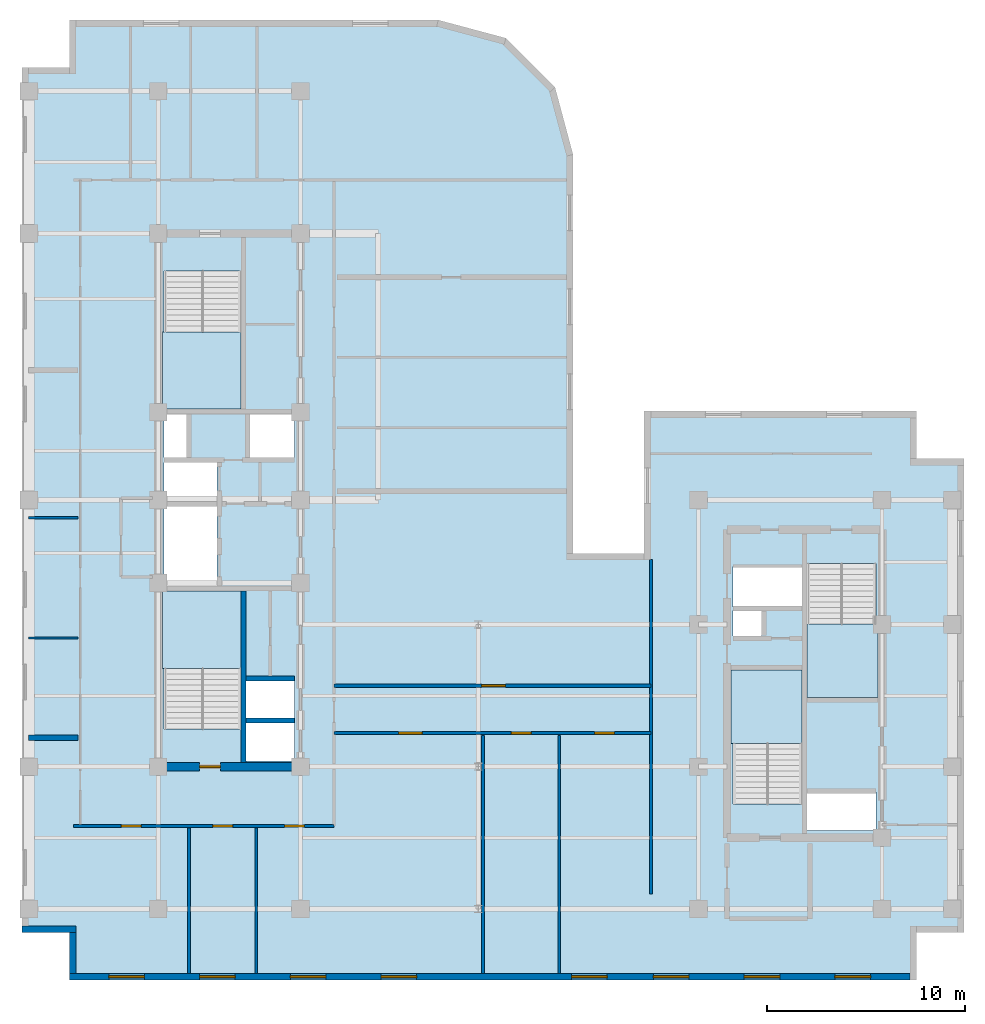
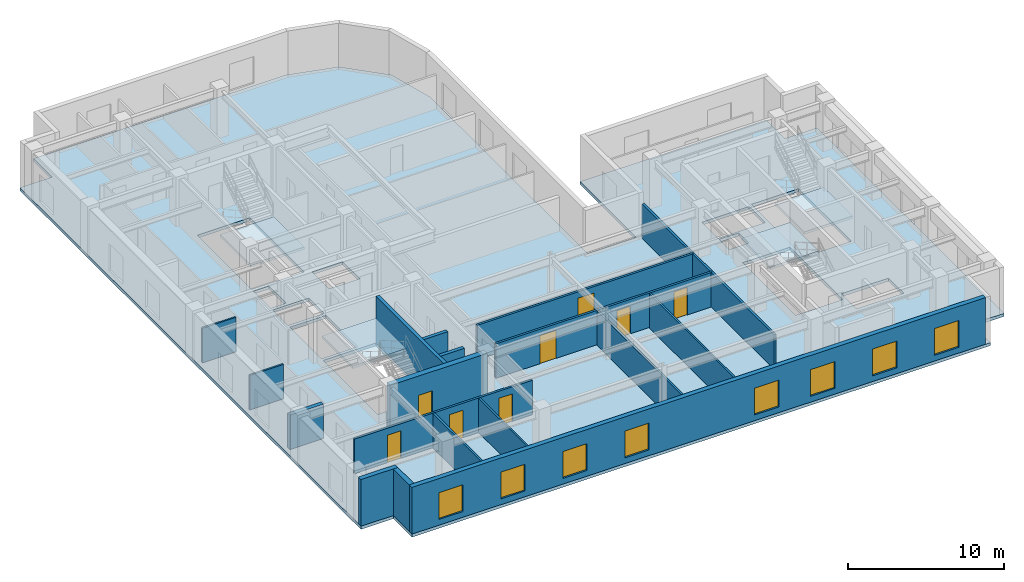
# One storey, part 3 of 10: 18 walls, 8 doors, 8 windows, 5 slabs, 16 openings, 4 elements without a shape of their own.
"""IFC4 building model written with IfcOpenShell, lengths in metres."""

from ifc_helpers import new_model, entity, si_unit, converted_unit, direction, frame, origin_with_axes, origin_2d_with_axis, place, context, subcontext, project, spatial, polyline, rectangle, outline, extrude, material, layer, layer_set, type_object, element, fill, aggregate, save


model = new_model("IFC4")

# Units and contexts
model_context = context("Model", 3, precision=1e-05, world=origin_with_axes(), true_north=direction((0.0, 1.0)))
body_context = subcontext(model_context, "Body", "Model", "MODEL_VIEW")
ifc_project = project(units=[si_unit("LENGTHUNIT", "METRE"), si_unit("AREAUNIT", "SQUARE_METRE"), si_unit("VOLUMEUNIT", "CUBIC_METRE"), converted_unit("PLANEANGLEUNIT", "DEGREE", entity("IfcPlaneAngleMeasure", 0.017453292519943295), si_unit("PLANEANGLEUNIT", "RADIAN"), dimensions=[0, 0, 0, 0, 0, 0, 0]), si_unit("MASSUNIT", "GRAM", prefix="KILO"), si_unit("THERMODYNAMICTEMPERATUREUNIT", "KELVIN")], contexts=[model_context])

# Site, building, storey
site_placement = place(None, origin_with_axes())
site = spatial("IfcSite", under=ifc_project, at=site_placement, CompositionType="ELEMENT")
building_placement = place(site_placement, origin_with_axes())
building = spatial("IfcBuilding", under=site, at=building_placement, Name="Varnlund Millrace Tower", CompositionType="ELEMENT")
storey_placement = place(building_placement, frame((0.0, 0.0, 236.4), z_axis=(0.0, 0.0, 1.0), x_axis=(1.0, 0.0, 0.0)))
storey = spatial("IfcBuildingStorey", under=building, at=storey_placement, Name="L58", CompositionType="ELEMENT", Elevation=236.4)

# Slab
ifc_material_1 = material(Name="Concrete C60/75", Category="concrete")
ifc_layer_1 = layer(ifc_material_1, 0.24, Name="Concrete C60/75")
ifc_layer_set_1 = layer_set([ifc_layer_1], Name="Concrete C60/75")
slab_type_1 = type_object("IfcSlabType", Name="Type-Deck-Plate-Typical-240", PredefinedType="FLOOR", material=ifc_layer_set_1)
slab_1_placement = place(storey_placement, frame((0.0, 0.0, -0.24), z_axis=(0.0, 0.0, 1.0), x_axis=(1.0, 0.0, 0.0)))
element("IfcSlab", 1, at=slab_1_placement, inside=storey, type_object=slab_type_1, Name="Type-Deck-Plate-Typical-240", PredefinedType="FLOOR", context=body_context, shape_type="SweptSolid", body=[
    extrude(outline(polyline([(32.4, 21.6), (32.4, 41.8), (31.489, 45.2), (29.0, 47.689), (25.6, 48.6), (6.9, 48.6), (6.9, 46.2), (4.5, 46.2), (4.5, 2.4), (6.9, 2.4), (6.9, 0.0), (49.8, 0.0), (49.8, 2.4), (52.2, 2.4), (52.2, 26.4), (49.8, 26.4), (49.8, 28.8), (36.0, 28.8), (36.0, 21.6), (32.4, 21.6)]), holes=[polyline([(18.3, 13.1), (18.3, 11.1), (15.84, 11.1), (15.84, 13.1), (18.3, 13.1)]), polyline([(15.6, 12.715), (11.7, 12.715), (11.7, 19.7), (15.6, 19.7), (15.6, 12.715)]), polyline([(11.7, 19.94), (11.7, 23.98), (14.38, 23.98), (14.38, 19.94), (11.7, 19.94)]), polyline([(14.38, 24.24), (11.7, 24.24), (11.7, 26.2), (14.38, 26.2), (14.38, 24.24)]), polyline([(12.84, 26.46), (11.7, 26.46), (11.7, 28.65), (12.84, 28.65), (12.84, 26.46)]), polyline([(15.6, 28.9), (11.7, 28.9), (11.7, 35.885), (15.6, 35.885), (15.6, 28.9)]), polyline([(47.75, 9.52), (47.75, 7.58), (44.25, 7.58), (44.25, 9.52), (47.75, 9.52)]), polyline([(44.0, 8.915), (40.5, 8.915), (40.5, 15.7), (44.0, 15.7), (44.0, 8.915)]), polyline([(18.3, 13.16), (15.84, 13.16), (15.84, 15.24), (18.3, 15.24), (18.3, 13.16)]), polyline([(47.75, 14.3), (44.25, 14.3), (44.25, 21.085), (47.75, 21.085), (47.75, 14.3)]), polyline([(41.95, 17.42), (40.5, 17.42), (40.5, 18.72), (41.95, 18.72), (41.95, 17.42)]), polyline([(44.0, 18.88), (40.5, 18.88), (40.5, 20.94), (44.0, 20.94), (44.0, 18.88)]), polyline([(18.3, 26.46), (16.04, 26.46), (16.04, 28.65), (18.3, 28.65), (18.3, 26.46)])]), origin_with_axes(), (0.0, 0.0, 1.0), 0.24),
])

# Stair, slab
ifc_material_2 = material(Name="Concrete C50/60", Category="concrete")
stair_type_1 = type_object("IfcStairType", Name="Type-Stair-Dogleg-185-390", PredefinedType="HALF_TURN_STAIR", material=ifc_material_2)
stair_1_placement = place(storey_placement, origin_with_axes())
stair_1 = element("IfcStair", 2, at=stair_1_placement, inside=storey, type_object=stair_type_1, Name="Type-Stair-Dogleg-185-390", PredefinedType="HALF_TURN_STAIR")
ifc_layer_2 = layer(ifc_material_2, 0.2, Name="Concrete C50/60")
ifc_layer_set_2 = layer_set([ifc_layer_2], Name="Concrete C50/60")
slab_type_2 = type_object("IfcSlabType", Name="Type-StairLanding-200", PredefinedType="LANDING", material=ifc_layer_set_2)
slab_2_placement = place(storey_placement, frame((0.0, 0.0, 1.75), z_axis=(0.0, 0.0, 1.0), x_axis=(1.0, 0.0, 0.0)))
slab_2 = element("IfcSlab", 3, at=slab_2_placement, type_object=slab_type_2, Name="ST-A1 landing 1", PredefinedType="LANDING", context=body_context, shape_type="SweptSolid", body=[
    extrude(outline(polyline([(15.6, 15.78), (15.6, 19.7), (11.61, 19.7), (11.61, 15.78), (15.6, 15.78)])), origin_with_axes(), (0.0, 0.0, 1.0), 0.2),
])
aggregate(stair_1, [slab_2])

stair_2_placement = place(storey_placement, origin_with_axes())
stair_2 = element("IfcStair", 4, at=stair_2_placement, inside=storey, type_object=stair_type_1, Name="Type-Stair-Dogleg-185-390", PredefinedType="HALF_TURN_STAIR")
slab_3_placement = place(storey_placement, frame((0.0, 0.0, 1.75), z_axis=(0.0, 0.0, 1.0), x_axis=(1.0, 0.0, 0.0)))
slab_3 = element("IfcSlab", 5, at=slab_3_placement, type_object=slab_type_2, Name="ST-A2 landing 1", PredefinedType="LANDING", context=body_context, shape_type="SweptSolid", body=[
    extrude(outline(polyline([(11.61, 32.82), (11.61, 28.9), (15.6, 28.9), (15.6, 32.82), (11.61, 32.82)])), origin_with_axes(), (0.0, 0.0, 1.0), 0.2),
])
aggregate(stair_2, [slab_3])

stair_type_2 = type_object("IfcStairType", Name="Type-Stair-Dogleg-165-390", PredefinedType="HALF_TURN_STAIR", material=ifc_material_2)
stair_3_placement = place(storey_placement, origin_with_axes())
stair_3 = element("IfcStair", 6, at=stair_3_placement, inside=storey, type_object=stair_type_2, Name="Type-Stair-Dogleg-165-390", PredefinedType="HALF_TURN_STAIR")
slab_4_placement = place(storey_placement, frame((0.0, 0.0, 1.75), z_axis=(0.0, 0.0, 1.0), x_axis=(1.0, 0.0, 0.0)))
slab_4 = element("IfcSlab", 7, at=slab_4_placement, type_object=slab_type_2, Name="ST-B1 landing 1", PredefinedType="LANDING", context=body_context, shape_type="SweptSolid", body=[
    extrude(outline(polyline([(44.0, 11.98), (44.0, 15.7), (40.41, 15.7), (40.41, 11.98), (44.0, 11.98)])), origin_with_axes(), (0.0, 0.0, 1.0), 0.2),
])
aggregate(stair_3, [slab_4])

stair_4_placement = place(storey_placement, origin_with_axes())
stair_4 = element("IfcStair", 8, at=stair_4_placement, inside=storey, type_object=stair_type_2, Name="Type-Stair-Dogleg-165-390", PredefinedType="HALF_TURN_STAIR")
slab_5_placement = place(storey_placement, frame((0.0, 0.0, 1.75), z_axis=(0.0, 0.0, 1.0), x_axis=(1.0, 0.0, 0.0)))
slab_5 = element("IfcSlab", 9, at=slab_5_placement, type_object=slab_type_2, Name="ST-B2 landing 1", PredefinedType="LANDING", context=body_context, shape_type="SweptSolid", body=[
    extrude(outline(polyline([(44.25, 18.02), (44.25, 14.3), (47.84, 14.3), (47.84, 18.02), (44.25, 18.02)])), origin_with_axes(), (0.0, 0.0, 1.0), 0.2),
])
aggregate(stair_4, [slab_5])

# Wall, opening, door
ifc_layer_3 = layer(ifc_material_1, 0.42, Name="Concrete C60/75")
ifc_layer_set_3 = layer_set([ifc_layer_3], Name="Concrete C60/75")
wall_type_1 = type_object("IfcWallType", Name="Type-CoreWall-Shear-420-C60", PredefinedType="SHEAR", material=ifc_layer_set_3)
wall_1_placement = place(storey_placement, frame((11.4, 10.8, 0.0), z_axis=(0.0, 0.0, 1.0), x_axis=(1.0, 0.0, 0.0)))
wall_1 = element("IfcWall", 10, at=wall_1_placement, inside=storey, type_object=wall_type_1, Name="Type-CoreWall-Shear-420-C60", PredefinedType="SHEAR", context=body_context, shape_type="SweptSolid", body=[
    extrude(outline(polyline([(0.0, -0.21), (7.2, -0.21), (7.2, 0.21), (0.0, 0.21), (0.0, -0.21)])), origin_with_axes(), (0.0, 0.0, 1.0), 3.66),
])
opening_1_placement = place(wall_1_placement, frame((2.625, 0.0, 0.0), z_axis=(0.0, 0.0, 1.0), x_axis=(1.0, 0.0, 0.0)))
opening_1 = element("IfcOpeningElement", 11, at=opening_1_placement, cuts=wall_1, Name="Opening L58:DR-STA1", PredefinedType="OPENING", context=body_context, shape_type="SweptSolid", body=[
    extrude(rectangle(XDim=1.05, YDim=0.44, at=origin_2d_with_axis()), origin_with_axes(), (0.0, 0.0, 1.0), 2.15),
])
ifc_material_3 = material(Name="Fire-rated hollow steel door", Category="steel")
door_type_1 = type_object("IfcDoorType", Name="Type-FireDoor-Stair-1050X2150", OperationType="NOTDEFINED", PredefinedType="DOOR", material=ifc_material_3)
door_1_placement = place(wall_1_placement, frame((2.625, 0.0, 0.0), z_axis=(0.0, 0.0, 1.0), x_axis=(1.0, 0.0, 0.0)))
door_1 = element("IfcDoor", 12, at=door_1_placement, inside=storey, type_object=door_type_1, Name="Type-FireDoor-Stair-1050X2150", OperationType="SINGLE_SWING_LEFT", OverallHeight=2.15, OverallWidth=1.05, PredefinedType="DOOR", context=body_context, shape_type="SweptSolid", body=[
    extrude(rectangle(XDim=1.05, YDim=0.09, at=origin_2d_with_axis()), origin_with_axes(), (0.0, 0.0, 1.0), 2.15),
])
fill(opening_1, door_1)

# Wall, openings, windows
ifc_material_4 = material(Name="Precast concrete C50/60", Category="concrete")
ifc_layer_4 = layer(ifc_material_4, 0.34, Name="Precast concrete C50/60")
ifc_layer_set_4 = layer_set([ifc_layer_4], Name="Precast concrete C50/60")
wall_type_2 = type_object("IfcWallType", Name="Type-ExtWall-Precast-Upper-340", PredefinedType="SOLIDWALL", material=ifc_layer_set_4)
wall_2_placement = place(storey_placement, frame((49.46, 0.17, 0.0), z_axis=(0.0, 0.0, 1.0), x_axis=(-1.0, 0.0, 0.0)))
wall_2 = element("IfcWall", 13, at=wall_2_placement, inside=storey, type_object=wall_type_2, Name="Type-ExtWall-Precast-Upper-340", PredefinedType="SOLIDWALL", context=body_context, shape_type="SweptSolid", body=[
    extrude(outline(polyline([(0.0, -0.17), (42.56, -0.17), (42.56, 0.17), (0.0, 0.17), (0.0, -0.17)])), origin_with_axes(), (0.0, 0.0, 1.0), 3.66),
])
opening_2_placement = place(wall_2_placement, frame((2.898, 0.0, 0.45), z_axis=(0.0, 0.0, 1.0), x_axis=(1.0, 0.0, 0.0)))
opening_2 = element("IfcOpeningElement", 14, at=opening_2_placement, cuts=wall_2, Name="Opening L58:WN-07", PredefinedType="OPENING", context=body_context, shape_type="SweptSolid", body=[
    extrude(rectangle(XDim=1.8, YDim=0.36, at=origin_2d_with_axis()), origin_with_axes(), (0.0, 0.0, 1.0), 2.1),
])
opening_3_placement = place(wall_2_placement, frame((7.493, 0.0, 0.45), z_axis=(0.0, 0.0, 1.0), x_axis=(1.0, 0.0, 0.0)))
opening_3 = element("IfcOpeningElement", 15, at=opening_3_placement, cuts=wall_2, Name="Opening L58:WN-08", PredefinedType="OPENING", context=body_context, shape_type="SweptSolid", body=[
    extrude(rectangle(XDim=1.8, YDim=0.36, at=origin_2d_with_axis()), origin_with_axes(), (0.0, 0.0, 1.0), 2.1),
])
opening_4_placement = place(wall_2_placement, frame((12.089, 0.0, 0.45), z_axis=(0.0, 0.0, 1.0), x_axis=(1.0, 0.0, 0.0)))
opening_4 = element("IfcOpeningElement", 16, at=opening_4_placement, cuts=wall_2, Name="Opening L58:WN-09", PredefinedType="OPENING", context=body_context, shape_type="SweptSolid", body=[
    extrude(rectangle(XDim=1.8, YDim=0.36, at=origin_2d_with_axis()), origin_with_axes(), (0.0, 0.0, 1.0), 2.1),
])
opening_5_placement = place(wall_2_placement, frame((16.234, 0.0, 0.45), z_axis=(0.0, 0.0, 1.0), x_axis=(1.0, 0.0, 0.0)))
opening_5 = element("IfcOpeningElement", 17, at=opening_5_placement, cuts=wall_2, Name="Opening L58:WN-10", PredefinedType="OPENING", context=body_context, shape_type="SweptSolid", body=[
    extrude(rectangle(XDim=1.8, YDim=0.36, at=origin_2d_with_axis()), origin_with_axes(), (0.0, 0.0, 1.0), 2.1),
])
opening_6_placement = place(wall_2_placement, frame((25.876, 0.0, 0.45), z_axis=(0.0, 0.0, 1.0), x_axis=(1.0, 0.0, 0.0)))
opening_6 = element("IfcOpeningElement", 18, at=opening_6_placement, cuts=wall_2, Name="Opening L58:WN-11", PredefinedType="OPENING", context=body_context, shape_type="SweptSolid", body=[
    extrude(rectangle(XDim=1.8, YDim=0.36, at=origin_2d_with_axis()), origin_with_axes(), (0.0, 0.0, 1.0), 2.1),
])
opening_7_placement = place(wall_2_placement, frame((30.471, 0.0, 0.45), z_axis=(0.0, 0.0, 1.0), x_axis=(1.0, 0.0, 0.0)))
opening_7 = element("IfcOpeningElement", 19, at=opening_7_placement, cuts=wall_2, Name="Opening L58:WN-12", PredefinedType="OPENING", context=body_context, shape_type="SweptSolid", body=[
    extrude(rectangle(XDim=1.8, YDim=0.36, at=origin_2d_with_axis()), origin_with_axes(), (0.0, 0.0, 1.0), 2.1),
])
opening_8_placement = place(wall_2_placement, frame((35.067, 0.0, 0.45), z_axis=(0.0, 0.0, 1.0), x_axis=(1.0, 0.0, 0.0)))
opening_8 = element("IfcOpeningElement", 20, at=opening_8_placement, cuts=wall_2, Name="Opening L58:WN-13", PredefinedType="OPENING", context=body_context, shape_type="SweptSolid", body=[
    extrude(rectangle(XDim=1.8, YDim=0.36, at=origin_2d_with_axis()), origin_with_axes(), (0.0, 0.0, 1.0), 2.1),
])
opening_9_placement = place(wall_2_placement, frame((39.662, 0.0, 0.45), z_axis=(0.0, 0.0, 1.0), x_axis=(1.0, 0.0, 0.0)))
opening_9 = element("IfcOpeningElement", 21, at=opening_9_placement, cuts=wall_2, Name="Opening L58:WN-14", PredefinedType="OPENING", context=body_context, shape_type="SweptSolid", body=[
    extrude(rectangle(XDim=1.8, YDim=0.36, at=origin_2d_with_axis()), origin_with_axes(), (0.0, 0.0, 1.0), 2.1),
])
ifc_material_5 = material(Name="Argon low-e triple glazing in thermally broken bronze frame", Category="glass")
window_type = type_object("IfcWindowType", Name="Type-Window-Punched-1800X2100", PartitioningType="SINGLE_PANEL", PredefinedType="WINDOW", material=ifc_material_5)
window_1_placement = place(wall_2_placement, frame((2.898, 0.0, 0.45), z_axis=(0.0, 0.0, 1.0), x_axis=(1.0, 0.0, 0.0)))
window_1 = element("IfcWindow", 22, at=window_1_placement, inside=storey, type_object=window_type, Name="Type-Window-Punched-1800X2100", OverallHeight=2.1, OverallWidth=1.8, PredefinedType="WINDOW", context=body_context, shape_type="SweptSolid", body=[
    extrude(rectangle(XDim=1.8, YDim=0.09, at=origin_2d_with_axis()), origin_with_axes(), (0.0, 0.0, 1.0), 2.1),
])
fill(opening_2, window_1)
window_2_placement = place(wall_2_placement, frame((7.493, 0.0, 0.45), z_axis=(0.0, 0.0, 1.0), x_axis=(1.0, 0.0, 0.0)))
window_2 = element("IfcWindow", 23, at=window_2_placement, inside=storey, type_object=window_type, Name="Type-Window-Punched-1800X2100", OverallHeight=2.1, OverallWidth=1.8, PredefinedType="WINDOW", context=body_context, shape_type="SweptSolid", body=[
    extrude(rectangle(XDim=1.8, YDim=0.09, at=origin_2d_with_axis()), origin_with_axes(), (0.0, 0.0, 1.0), 2.1),
])
fill(opening_3, window_2)
window_3_placement = place(wall_2_placement, frame((12.089, 0.0, 0.45), z_axis=(0.0, 0.0, 1.0), x_axis=(1.0, 0.0, 0.0)))
window_3 = element("IfcWindow", 24, at=window_3_placement, inside=storey, type_object=window_type, Name="Type-Window-Punched-1800X2100", OverallHeight=2.1, OverallWidth=1.8, PredefinedType="WINDOW", context=body_context, shape_type="SweptSolid", body=[
    extrude(rectangle(XDim=1.8, YDim=0.09, at=origin_2d_with_axis()), origin_with_axes(), (0.0, 0.0, 1.0), 2.1),
])
fill(opening_4, window_3)
window_4_placement = place(wall_2_placement, frame((16.234, 0.0, 0.45), z_axis=(0.0, 0.0, 1.0), x_axis=(1.0, 0.0, 0.0)))
window_4 = element("IfcWindow", 25, at=window_4_placement, inside=storey, type_object=window_type, Name="Type-Window-Punched-1800X2100", OverallHeight=2.1, OverallWidth=1.8, PredefinedType="WINDOW", context=body_context, shape_type="SweptSolid", body=[
    extrude(rectangle(XDim=1.8, YDim=0.09, at=origin_2d_with_axis()), origin_with_axes(), (0.0, 0.0, 1.0), 2.1),
])
fill(opening_5, window_4)
window_5_placement = place(wall_2_placement, frame((25.876, 0.0, 0.45), z_axis=(0.0, 0.0, 1.0), x_axis=(1.0, 0.0, 0.0)))
window_5 = element("IfcWindow", 26, at=window_5_placement, inside=storey, type_object=window_type, Name="Type-Window-Punched-1800X2100", OverallHeight=2.1, OverallWidth=1.8, PredefinedType="WINDOW", context=body_context, shape_type="SweptSolid", body=[
    extrude(rectangle(XDim=1.8, YDim=0.09, at=origin_2d_with_axis()), origin_with_axes(), (0.0, 0.0, 1.0), 2.1),
])
fill(opening_6, window_5)
window_6_placement = place(wall_2_placement, frame((30.471, 0.0, 0.45), z_axis=(0.0, 0.0, 1.0), x_axis=(1.0, 0.0, 0.0)))
window_6 = element("IfcWindow", 27, at=window_6_placement, inside=storey, type_object=window_type, Name="Type-Window-Punched-1800X2100", OverallHeight=2.1, OverallWidth=1.8, PredefinedType="WINDOW", context=body_context, shape_type="SweptSolid", body=[
    extrude(rectangle(XDim=1.8, YDim=0.09, at=origin_2d_with_axis()), origin_with_axes(), (0.0, 0.0, 1.0), 2.1),
])
fill(opening_7, window_6)
window_7_placement = place(wall_2_placement, frame((35.067, 0.0, 0.45), z_axis=(0.0, 0.0, 1.0), x_axis=(1.0, 0.0, 0.0)))
window_7 = element("IfcWindow", 28, at=window_7_placement, inside=storey, type_object=window_type, Name="Type-Window-Punched-1800X2100", OverallHeight=2.1, OverallWidth=1.8, PredefinedType="WINDOW", context=body_context, shape_type="SweptSolid", body=[
    extrude(rectangle(XDim=1.8, YDim=0.09, at=origin_2d_with_axis()), origin_with_axes(), (0.0, 0.0, 1.0), 2.1),
])
fill(opening_8, window_7)
window_8_placement = place(wall_2_placement, frame((39.662, 0.0, 0.45), z_axis=(0.0, 0.0, 1.0), x_axis=(1.0, 0.0, 0.0)))
window_8 = element("IfcWindow", 29, at=window_8_placement, inside=storey, type_object=window_type, Name="Type-Window-Punched-1800X2100", OverallHeight=2.1, OverallWidth=1.8, PredefinedType="WINDOW", context=body_context, shape_type="SweptSolid", body=[
    extrude(rectangle(XDim=1.8, YDim=0.09, at=origin_2d_with_axis()), origin_with_axes(), (0.0, 0.0, 1.0), 2.1),
])
fill(opening_9, window_8)

# Walls
wall_3_placement = place(storey_placement, frame((7.07, 0.34, 0.0), z_axis=(0.0, 0.0, 1.0), x_axis=(0.0, 1.0, 0.0)))
element("IfcWall", 30, at=wall_3_placement, inside=storey, type_object=wall_type_2, Name="Type-ExtWall-Precast-Upper-340", PredefinedType="SOLIDWALL", context=body_context, shape_type="SweptSolid", body=[
    extrude(outline(polyline([(0.0, -0.17), (2.06, -0.17), (2.06, 0.17), (0.0, 0.17), (0.0, -0.17)])), origin_with_axes(), (0.0, 0.0, 1.0), 3.66),
])
wall_4_placement = place(storey_placement, frame((7.24, 2.57, 0.0), z_axis=(0.0, 0.0, 1.0), x_axis=(-1.0, 0.0, 0.0)))
element("IfcWall", 31, at=wall_4_placement, inside=storey, type_object=wall_type_2, Name="Type-ExtWall-Precast-Upper-340", PredefinedType="SOLIDWALL", context=body_context, shape_type="SweptSolid", body=[
    extrude(outline(polyline([(0.0, -0.17), (2.74, -0.17), (2.74, 0.17), (0.0, 0.17), (0.0, -0.17)])), origin_with_axes(), (0.0, 0.0, 1.0), 3.66),
])
ifc_material_6 = material(Name="Double-stud STC-60 conference acoustic partition", Category="gypsum")
ifc_layer_5 = layer(ifc_material_6, 0.28, Name="Double-stud STC-60 conference acoustic partition")
ifc_layer_set_5 = layer_set([ifc_layer_5], Name="Double-stud STC-60 conference acoustic partition")
wall_type_3 = type_object("IfcWallType", Name="Type-Partition-Acoustic-280", PredefinedType="PARTITIONING", material=ifc_layer_set_5)
wall_5_placement = place(storey_placement, frame((4.835, 12.262, 0.0), z_axis=(0.0, 0.0, 1.0), x_axis=(1.0, 0.0, 0.0)))
element("IfcWall", 32, at=wall_5_placement, inside=storey, type_object=wall_type_3, Name="Type-Partition-Acoustic-280", PredefinedType="PARTITIONING", context=body_context, shape_type="SweptSolid", body=[
    extrude(outline(polyline([(0.0, -0.14), (2.495, -0.14), (2.495, 0.14), (0.0, 0.14), (0.0, -0.14)])), origin_with_axes(), (0.0, 0.0, 1.0), 2.7),
])

# Wall, openings, doors
ifc_material_7 = material(Name="Fire-rated gypsum board on cold-formed steel framing", Category="steel")
ifc_layer_6 = layer(ifc_material_7, 0.16, Name="Fire-rated gypsum board on cold-formed steel framing")
ifc_layer_set_6 = layer_set([ifc_layer_6], Name="Fire-rated gypsum board on cold-formed steel framing")
wall_type_4 = type_object("IfcWallType", Name="Type-Partition-Corridor-160", PredefinedType="PARTITIONING", material=ifc_layer_set_6)
wall_6_placement = place(storey_placement, frame((7.1, 7.8, 0.0), z_axis=(0.0, 0.0, 1.0), x_axis=(1.0, 0.0, 0.0)))
wall_6 = element("IfcWall", 33, at=wall_6_placement, inside=storey, type_object=wall_type_4, Name="Type-Partition-Corridor-160", PredefinedType="PARTITIONING", context=body_context, shape_type="SweptSolid", body=[
    extrude(outline(polyline([(0.0, -0.08), (13.2, -0.08), (13.2, 0.08), (0.0, 0.08), (0.0, -0.08)])), origin_with_axes(), (0.0, 0.0, 1.0), 2.7),
])
opening_10_placement = place(wall_6_placement, frame((2.9285, 0.0, 0.0), z_axis=(0.0, 0.0, 1.0), x_axis=(1.0, 0.0, 0.0)))
opening_10 = element("IfcOpeningElement", 34, at=opening_10_placement, cuts=wall_6, Name="Opening L58:DR-WAS-01", PredefinedType="OPENING", context=body_context, shape_type="SweptSolid", body=[
    extrude(rectangle(XDim=1.0, YDim=0.18, at=origin_2d_with_axis()), origin_with_axes(), (0.0, 0.0, 1.0), 2.15),
])
opening_11_placement = place(wall_6_placement, frame((7.56, 0.0, 0.0), z_axis=(0.0, 0.0, 1.0), x_axis=(1.0, 0.0, 0.0)))
opening_11 = element("IfcOpeningElement", 35, at=opening_11_placement, cuts=wall_6, Name="Opening L58:DR-WAS-02", PredefinedType="OPENING", context=body_context, shape_type="SweptSolid", body=[
    extrude(rectangle(XDim=1.0, YDim=0.18, at=origin_2d_with_axis()), origin_with_axes(), (0.0, 0.0, 1.0), 2.15),
])
opening_12_placement = place(wall_6_placement, frame((11.2015, 0.0, 0.0), z_axis=(0.0, 0.0, 1.0), x_axis=(1.0, 0.0, 0.0)))
opening_12 = element("IfcOpeningElement", 36, at=opening_12_placement, cuts=wall_6, Name="Opening L58:DR-WAS-03", PredefinedType="OPENING", context=body_context, shape_type="SweptSolid", body=[
    extrude(rectangle(XDim=1.0, YDim=0.18, at=origin_2d_with_axis()), origin_with_axes(), (0.0, 0.0, 1.0), 2.15),
])
ifc_material_8 = material(Name="Solid-core white oak and bronze frame door")
door_type_2 = type_object("IfcDoorType", Name="Type-IntDoor-Office-1000X2150", OperationType="NOTDEFINED", PredefinedType="DOOR", material=ifc_material_8)
door_2_placement = place(wall_6_placement, frame((2.9285, 0.0, 0.0), z_axis=(0.0, 0.0, 1.0), x_axis=(1.0, 0.0, 0.0)))
door_2 = element("IfcDoor", 37, at=door_2_placement, inside=storey, type_object=door_type_2, Name="Type-IntDoor-Office-1000X2150", OperationType="SINGLE_SWING_LEFT", OverallHeight=2.15, OverallWidth=1.0, PredefinedType="DOOR", context=body_context, shape_type="SweptSolid", body=[
    extrude(rectangle(XDim=1.0, YDim=0.09, at=origin_2d_with_axis()), origin_with_axes(), (0.0, 0.0, 1.0), 2.15),
])
fill(opening_10, door_2)
door_3_placement = place(wall_6_placement, frame((7.56, 0.0, 0.0), z_axis=(0.0, 0.0, 1.0), x_axis=(1.0, 0.0, 0.0)))
door_3 = element("IfcDoor", 38, at=door_3_placement, inside=storey, type_object=door_type_2, Name="Type-IntDoor-Office-1000X2150", OperationType="SINGLE_SWING_RIGHT", OverallHeight=2.15, OverallWidth=1.0, PredefinedType="DOOR", context=body_context, shape_type="SweptSolid", body=[
    extrude(rectangle(XDim=1.0, YDim=0.09, at=origin_2d_with_axis()), origin_with_axes(), (0.0, 0.0, 1.0), 2.15),
])
fill(opening_11, door_3)
door_4_placement = place(wall_6_placement, frame((11.2015, 0.0, 0.0), z_axis=(0.0, 0.0, 1.0), x_axis=(1.0, 0.0, 0.0)))
door_4 = element("IfcDoor", 39, at=door_4_placement, inside=storey, type_object=door_type_2, Name="Type-IntDoor-Office-1000X2150", OperationType="SINGLE_SWING_LEFT", OverallHeight=2.15, OverallWidth=1.0, PredefinedType="DOOR", context=body_context, shape_type="SweptSolid", body=[
    extrude(rectangle(XDim=1.0, YDim=0.09, at=origin_2d_with_axis()), origin_with_axes(), (0.0, 0.0, 1.0), 2.15),
])
fill(opening_12, door_4)

wall_7_placement = place(storey_placement, frame((20.3, 12.5, 0.0), z_axis=(0.0, 0.0, 1.0), x_axis=(1.0, 0.0, 0.0)))
wall_7 = element("IfcWall", 40, at=wall_7_placement, inside=storey, type_object=wall_type_4, Name="Type-Partition-Corridor-160", PredefinedType="PARTITIONING", context=body_context, shape_type="SweptSolid", body=[
    extrude(outline(polyline([(0.0, -0.08), (16.05, -0.08), (16.05, 0.08), (0.0, 0.08), (0.0, -0.08)])), origin_with_axes(), (0.0, 0.0, 1.0), 2.7),
])
opening_13_placement = place(wall_7_placement, frame((3.8645, 0.0, 0.0), z_axis=(0.0, 0.0, 1.0), x_axis=(1.0, 0.0, 0.0)))
opening_13 = element("IfcOpeningElement", 41, at=opening_13_placement, cuts=wall_7, Name="Opening L58:DR-KNS-01", PredefinedType="OPENING", context=body_context, shape_type="SweptSolid", body=[
    extrude(rectangle(XDim=1.2, YDim=0.18, at=origin_2d_with_axis()), origin_with_axes(), (0.0, 0.0, 1.0), 2.2),
])
opening_14_placement = place(wall_7_placement, frame((9.4805, 0.0, 0.0), z_axis=(0.0, 0.0, 1.0), x_axis=(1.0, 0.0, 0.0)))
opening_14 = element("IfcOpeningElement", 42, at=opening_14_placement, cuts=wall_7, Name="Opening L58:DR-KNS-02", PredefinedType="OPENING", context=body_context, shape_type="SweptSolid", body=[
    extrude(rectangle(XDim=1.0, YDim=0.18, at=origin_2d_with_axis()), origin_with_axes(), (0.0, 0.0, 1.0), 2.15),
])
opening_15_placement = place(wall_7_placement, frame((13.691, 0.0, 0.0), z_axis=(0.0, 0.0, 1.0), x_axis=(1.0, 0.0, 0.0)))
opening_15 = element("IfcOpeningElement", 43, at=opening_15_placement, cuts=wall_7, Name="Opening L58:DR-KNS-03", PredefinedType="OPENING", context=body_context, shape_type="SweptSolid", body=[
    extrude(rectangle(XDim=1.0, YDim=0.18, at=origin_2d_with_axis()), origin_with_axes(), (0.0, 0.0, 1.0), 2.15),
])
ifc_material_9 = material(Name="Wide executive white oak acoustic door")
door_type_3 = type_object("IfcDoorType", Name="Type-IntDoor-Exec-1200X2200", OperationType="NOTDEFINED", PredefinedType="DOOR", material=ifc_material_9)
door_5_placement = place(wall_7_placement, frame((3.8645, 0.0, 0.0), z_axis=(0.0, 0.0, 1.0), x_axis=(1.0, 0.0, 0.0)))
door_5 = element("IfcDoor", 44, at=door_5_placement, inside=storey, type_object=door_type_3, Name="Type-IntDoor-Exec-1200X2200", OperationType="SINGLE_SWING_LEFT", OverallHeight=2.2, OverallWidth=1.2, PredefinedType="DOOR", context=body_context, shape_type="SweptSolid", body=[
    extrude(rectangle(XDim=1.2, YDim=0.09, at=origin_2d_with_axis()), origin_with_axes(), (0.0, 0.0, 1.0), 2.2),
])
fill(opening_13, door_5)
door_6_placement = place(wall_7_placement, frame((9.4805, 0.0, 0.0), z_axis=(0.0, 0.0, 1.0), x_axis=(1.0, 0.0, 0.0)))
door_6 = element("IfcDoor", 45, at=door_6_placement, inside=storey, type_object=door_type_2, Name="Type-IntDoor-Office-1000X2150", OperationType="SINGLE_SWING_RIGHT", OverallHeight=2.15, OverallWidth=1.0, PredefinedType="DOOR", context=body_context, shape_type="SweptSolid", body=[
    extrude(rectangle(XDim=1.0, YDim=0.09, at=origin_2d_with_axis()), origin_with_axes(), (0.0, 0.0, 1.0), 2.15),
])
fill(opening_14, door_6)
door_7_placement = place(wall_7_placement, frame((13.691, 0.0, 0.0), z_axis=(0.0, 0.0, 1.0), x_axis=(1.0, 0.0, 0.0)))
door_7 = element("IfcDoor", 46, at=door_7_placement, inside=storey, type_object=door_type_2, Name="Type-IntDoor-Office-1000X2150", OperationType="SINGLE_SWING_LEFT", OverallHeight=2.15, OverallWidth=1.0, PredefinedType="DOOR", context=body_context, shape_type="SweptSolid", body=[
    extrude(rectangle(XDim=1.0, YDim=0.09, at=origin_2d_with_axis()), origin_with_axes(), (0.0, 0.0, 1.0), 2.15),
])
fill(opening_15, door_7)

# Wall, opening, door
wall_8_placement = place(storey_placement, frame((20.3, 14.9, 0.0), z_axis=(0.0, 0.0, 1.0), x_axis=(1.0, 0.0, 0.0)))
wall_8 = element("IfcWall", 47, at=wall_8_placement, inside=storey, type_object=wall_type_4, Name="Type-Partition-Corridor-160", PredefinedType="PARTITIONING", context=body_context, shape_type="SweptSolid", body=[
    extrude(outline(polyline([(0.0, -0.08), (16.05, -0.08), (16.05, 0.08), (0.0, 0.08), (0.0, -0.08)])), origin_with_axes(), (0.0, 0.0, 1.0), 2.7),
])
opening_16_placement = place(wall_8_placement, frame((8.075, 0.0, 0.0), z_axis=(0.0, 0.0, 1.0), x_axis=(1.0, 0.0, 0.0)))
opening_16 = element("IfcOpeningElement", 48, at=opening_16_placement, cuts=wall_8, Name="Opening L58:DR-KN-01", PredefinedType="OPENING", context=body_context, shape_type="SweptSolid", body=[
    extrude(rectangle(XDim=1.2, YDim=0.18, at=origin_2d_with_axis()), origin_with_axes(), (0.0, 0.0, 1.0), 2.2),
])
door_8_placement = place(wall_8_placement, frame((8.075, 0.0, 0.0), z_axis=(0.0, 0.0, 1.0), x_axis=(1.0, 0.0, 0.0)))
door_8 = element("IfcDoor", 49, at=door_8_placement, inside=storey, type_object=door_type_3, Name="Type-IntDoor-Exec-1200X2200", OperationType="SINGLE_SWING_LEFT", OverallHeight=2.2, OverallWidth=1.2, PredefinedType="DOOR", context=body_context, shape_type="SweptSolid", body=[
    extrude(rectangle(XDim=1.2, YDim=0.09, at=origin_2d_with_axis()), origin_with_axes(), (0.0, 0.0, 1.0), 2.2),
])
fill(opening_16, door_8)

# Walls
wall_9_placement = place(storey_placement, frame((36.35, 4.35, 0.0), z_axis=(0.0, 0.0, 1.0), x_axis=(0.0, 1.0, 0.0)))
element("IfcWall", 50, at=wall_9_placement, inside=storey, type_object=wall_type_4, Name="Type-Partition-Corridor-160", PredefinedType="PARTITIONING", context=body_context, shape_type="SweptSolid", body=[
    extrude(outline(polyline([(0.0, -0.08), (16.95, -0.08), (16.95, 0.08), (0.0, 0.08), (0.0, -0.08)])), origin_with_axes(), (0.0, 0.0, 1.0), 2.7),
])
ifc_material_10 = material(Name="Acoustic STC-50 gypsum board partition", Category="gypsum")
ifc_layer_7 = layer(ifc_material_10, 0.15, Name="Acoustic STC-50 gypsum board partition")
ifc_layer_set_7 = layer_set([ifc_layer_7], Name="Acoustic STC-50 gypsum board partition")
wall_type_5 = type_object("IfcWallType", Name="Type-Partition-Demising-150", PredefinedType="PARTITIONING", material=ifc_layer_set_7)
wall_10_placement = place(storey_placement, frame((12.967, 0.335, 0.0), z_axis=(0.0, 0.0, 1.0), x_axis=(0.0, 1.0, 0.0)))
element("IfcWall", 51, at=wall_10_placement, inside=storey, type_object=wall_type_5, Name="Type-Partition-Demising-150", PredefinedType="PARTITIONING", context=body_context, shape_type="SweptSolid", body=[
    extrude(outline(polyline([(0.0, -0.075), (7.365, -0.075), (7.365, 0.075), (0.0, 0.075), (0.0, -0.075)])), origin_with_axes(), (0.0, 0.0, 1.0), 2.7),
])
wall_11_placement = place(storey_placement, frame((27.849, 0.335, 0.0), z_axis=(0.0, 0.0, 1.0), x_axis=(0.0, 1.0, 0.0)))
element("IfcWall", 52, at=wall_11_placement, inside=storey, type_object=wall_type_5, Name="Type-Partition-Demising-150", PredefinedType="PARTITIONING", context=body_context, shape_type="SweptSolid", body=[
    extrude(outline(polyline([(0.0, -0.075), (12.045, -0.075), (12.045, 0.075), (0.0, 0.075), (0.0, -0.075)])), origin_with_axes(), (0.0, 0.0, 1.0), 2.7),
])
ifc_material_11 = material(Name="Gypsum board tenant partition", Category="gypsum")
ifc_layer_8 = layer(ifc_material_11, 0.125, Name="Gypsum board tenant partition")
ifc_layer_set_8 = layer_set([ifc_layer_8], Name="Gypsum board tenant partition")
wall_type_6 = type_object("IfcWallType", Name="Type-Partition-Tenant-125", PredefinedType="PARTITIONING", material=ifc_layer_set_8)
for number, where, z_axis, x_axis, name in (
    (53, (4.835, 17.315, 0.0), (0.0, 0.0, 1.0), (1.0, 0.0, 0.0), "Type-Partition-Tenant-125"),
    (54, (4.835, 23.405, 0.0), (0.0, 0.0, 1.0), (1.0, 0.0, 0.0), "Type-Partition-Tenant-125"),
):
    element("IfcWall", number, at=place(storey_placement, frame(where, z_axis=z_axis, x_axis=x_axis)), inside=storey, type_object=wall_type_6, Name=name, PredefinedType="PARTITIONING", context=body_context, shape_type="SweptSolid", body=[
        extrude(outline(polyline([(0.0, -0.0625), (2.495, -0.0625), (2.495, 0.0625), (0.0, 0.0625), (0.0, -0.0625)])), origin_with_axes(), (0.0, 0.0, 1.0), 2.7),
    ])
wall_12_placement = place(storey_placement, frame((16.353, 0.335, 0.0), z_axis=(0.0, 0.0, 1.0), x_axis=(0.0, 1.0, 0.0)))
element("IfcWall", 55, at=wall_12_placement, inside=storey, type_object=wall_type_6, Name="Type-Partition-Tenant-125", PredefinedType="PARTITIONING", context=body_context, shape_type="SweptSolid", body=[
    extrude(outline(polyline([(0.0, -0.0625), (7.365, -0.0625), (7.365, 0.0625), (0.0, 0.0625), (0.0, -0.0625)])), origin_with_axes(), (0.0, 0.0, 1.0), 2.7),
])
wall_13_placement = place(storey_placement, frame((31.712, 0.335, 0.0), z_axis=(0.0, 0.0, 1.0), x_axis=(0.0, 1.0, 0.0)))
element("IfcWall", 56, at=wall_13_placement, inside=storey, type_object=wall_type_6, Name="Type-Partition-Tenant-125", PredefinedType="PARTITIONING", context=body_context, shape_type="SweptSolid", body=[
    extrude(outline(polyline([(0.0, -0.0625), (12.045, -0.0625), (12.045, 0.0625), (0.0, 0.0625), (0.0, -0.0625)])), origin_with_axes(), (0.0, 0.0, 1.0), 2.7),
])
ifc_layer_9 = layer(ifc_material_1, 0.25, Name="Concrete C60/75")
ifc_layer_set_9 = layer_set([ifc_layer_9], Name="Concrete C60/75")
wall_type_7 = type_object("IfcWallType", Name="Type-ShaftWall-Fire-250", PredefinedType="SOLIDWALL", material=ifc_layer_set_9)
for number, where, z_axis, x_axis, name in (
    (57, (15.84, 13.13, 0.0), (0.0, 0.0, 1.0), (1.0, 0.0, 0.0), "Type-ShaftWall-Fire-250"),
    (58, (15.84, 15.27, 0.0), (0.0, 0.0, 1.0), (1.0, 0.0, 0.0), "Type-ShaftWall-Fire-250"),
):
    element("IfcWall", number, at=place(storey_placement, frame(where, z_axis=z_axis, x_axis=x_axis)), inside=storey, type_object=wall_type_7, Name=name, PredefinedType="SOLIDWALL", context=body_context, shape_type="SweptSolid", body=[
        extrude(outline(polyline([(0.0, -0.125), (2.46, -0.125), (2.46, 0.125), (0.0, 0.125), (0.0, -0.125)])), origin_with_axes(), (0.0, 0.0, 1.0), 2.7),
    ])
wall_type_8 = type_object("IfcWallType", Name="Type-StairWall-Shear-250", PredefinedType="SHEAR", material=ifc_layer_set_9)
wall_14_placement = place(storey_placement, frame((15.725, 11.01, 0.0), z_axis=(0.0, 0.0, 1.0), x_axis=(0.0, 1.0, 0.0)))
element("IfcWall", 59, at=wall_14_placement, inside=storey, type_object=wall_type_8, Name="Type-StairWall-Shear-250", PredefinedType="SHEAR", context=body_context, shape_type="SweptSolid", body=[
    extrude(outline(polyline([(0.0, -0.125), (8.69, -0.125), (8.69, 0.125), (0.0, 0.125), (0.0, -0.125)])), origin_with_axes(), (0.0, 0.0, 1.0), 3.66),
])

save(model, "model.ifc")
